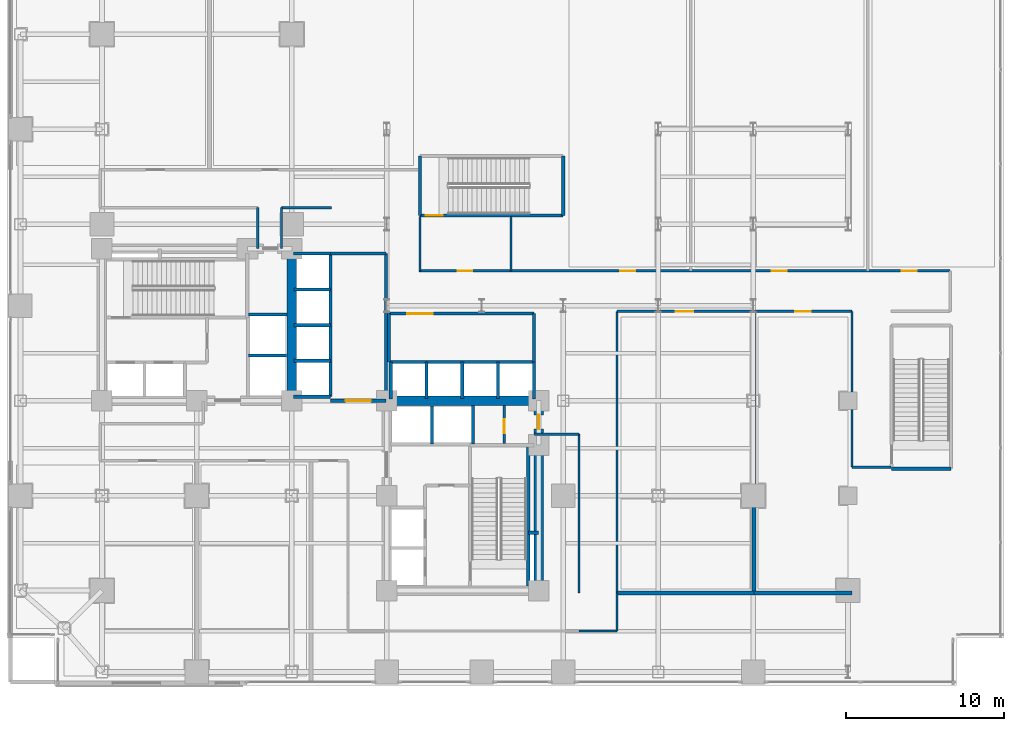
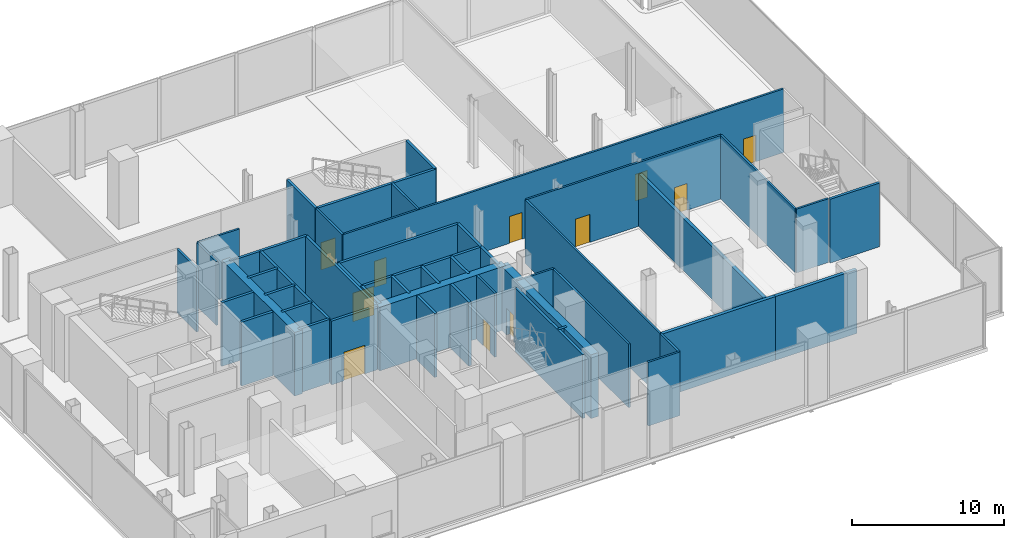
# One storey, part 22 of 27: 49 walls, 11 doors, 11 openings.
"""IFC4 building model written with IfcOpenShell, lengths in metres."""

from ifc_helpers import new_model, si_unit, direction, frame, frame_2d, origin, place, context, subcontext, project, spatial, rectangle, extrude, material, layer, layer_set, type_object, element, fill, save


model = new_model("IFC4")

# Units and contexts
model_context = context("Model", 3, precision=1e-05, world=origin(), true_north=direction((0.0, 1.0)))
body_context = subcontext(model_context, "Body", "Model", "MODEL_VIEW")
ifc_project = project(units=[si_unit("LENGTHUNIT", "METRE"), si_unit("AREAUNIT", "SQUARE_METRE"), si_unit("VOLUMEUNIT", "CUBIC_METRE"), si_unit("PLANEANGLEUNIT", "RADIAN"), si_unit("MASSUNIT", "GRAM", prefix="KILO"), si_unit("THERMODYNAMICTEMPERATUREUNIT", "KELVIN"), si_unit("POWERUNIT", "WATT")], contexts=[model_context])

# Site, building, storey
site_placement = place(None, origin())
site = spatial("IfcSite", under=ifc_project, at=site_placement, CompositionType="ELEMENT")
building_placement = place(site_placement, origin())
building = spatial("IfcBuilding", under=site, at=building_placement, Name="Svarakhadi Broadcast Tower", CompositionType="ELEMENT")
storey_placement = place(building_placement, frame((0.0, 0.0, 5.699951171875)))
storey = spatial("IfcBuildingStorey", under=building, at=storey_placement, Name="L01", CompositionType="ELEMENT", Elevation=5.699951171875)

# Walls
ifc_material_1 = material(Name="Double-Stud Acoustic Studio Partition STC-62", Category="gypsum")
ifc_layer_1 = layer(ifc_material_1, 0.25)
ifc_layer_set_1 = layer_set([ifc_layer_1], Name="Double-Stud Acoustic Studio Partition STC-62")
wall_type_1 = type_object("IfcWallType", Name="Wall_Acoust_250", PredefinedType="PARTITIONING", material=ifc_layer_set_1)
wall_1_placement = place(storey_placement, frame((38.550048828125, 5.85009765625, 0.0), z_axis=(0.0, 0.0, 1.0), x_axis=(1.0, 0.0, 0.0)))
element("IfcWall", 1, at=wall_1_placement, inside=storey, type_object=wall_type_1, Name="L01 L01 Television Production Studio A Wall", PredefinedType="PARTITIONING", context=body_context, shape_type="SweptSolid", body=[
    extrude(rectangle(XDim=8.64990234375, YDim=0.25, at=frame_2d((4.324951171875, 0.0))), origin(), (0.0, 0.0, 1.0), 5.125),
])
wall_2_placement = place(storey_placement, frame((47.199951171875, 5.85009765625, 0.0), z_axis=(0.0, 0.0, 1.0), x_axis=(0.0, 1.0, 0.0)))
element("IfcWall", 2, at=wall_2_placement, inside=storey, type_object=wall_type_1, Name="L01 L01 Television Production Studio A Wall", PredefinedType="PARTITIONING", context=body_context, shape_type="SweptSolid", body=[
    extrude(rectangle(XDim=17.699951171875, YDim=0.25, at=frame_2d((8.85009765625, 0.0))), origin(), (0.0, 0.0, 1.0), 4.217041015625),
])
wall_3_placement = place(storey_placement, frame((47.199951171875, 5.85009765625, 0.0), z_axis=(0.0, 0.0, 1.0), x_axis=(1.0, 0.0, 0.0)))
element("IfcWall", 3, at=wall_3_placement, inside=storey, type_object=wall_type_1, Name="L01 L01 Production Control Gallery Wall", PredefinedType="PARTITIONING", context=body_context, shape_type="SweptSolid", body=[
    extrude(rectangle(XDim=6.199951171875, YDim=0.25, at=frame_2d((3.10009765625, 0.0))), origin(), (0.0, 0.0, 1.0), 5.125),
])
ifc_material_2 = material(Name="Concrete C40/50 (IS 456 M50)", Category="concrete")
ifc_layer_2 = layer(ifc_material_2, 0.199951171875)
ifc_layer_set_2 = layer_set([ifc_layer_2], Name="Concrete C40/50 (IS 456 M50)")
wall_type_2 = type_object("IfcWallType", Name="Wall_Fire_200", PredefinedType="SOLIDWALL", material=ifc_layer_set_2)
wall_4_placement = place(storey_placement, frame((32.93994140625, 9.659912109375, 0.0), z_axis=(0.0, 0.0, 1.0), x_axis=(1.0, 0.0, 0.0)))
element("IfcWall", 4, at=wall_4_placement, inside=storey, type_object=wall_type_2, Name="L01 HV Busduct Riser Shaft North Wall", PredefinedType="SOLIDWALL", context=body_context, shape_type="SweptSolid", body=[
    extrude(rectangle(XDim=0.64013671875, YDim=0.199951171875, at=frame_2d((0.320068359375, 0.0))), origin(), (0.0, 0.0, 1.0), 5.125),
])

# Wall, opening, door
ifc_material_3 = material(Name="Autoclaved Aerated Concrete Blockwork 150 mm", Category="masonry")
ifc_layer_3 = layer(ifc_material_3, 0.14990234375)
ifc_layer_set_3 = layer_set([ifc_layer_3], Name="Autoclaved Aerated Concrete Blockwork 150 mm")
wall_type_3 = type_object("IfcWallType", Name="Wall_Part_150", PredefinedType="PARTITIONING", material=ifc_layer_set_3)
wall_5_placement = place(storey_placement, frame((31.419921875, 15.280029296875, 0.0), z_axis=(0.0, 0.0, 1.0), x_axis=(0.0, 1.0, 0.0)))
wall_5 = element("IfcWall", 5, at=wall_5_placement, inside=storey, type_object=wall_type_3, Name="L01 Core Service Split Wall", PredefinedType="PARTITIONING", context=body_context, shape_type="SweptSolid", body=[
    extrude(rectangle(XDim=2.419921875, YDim=0.14990234375, at=frame_2d((1.2099609375, 0.0))), origin(), (0.0, 0.0, 1.0), 5.125),
])
opening_1_placement = place(wall_5_placement, frame((0.64990234375, 0.0, 0.0)))
opening_1 = element("IfcOpeningElement", 6, at=opening_1_placement, cuts=wall_5, Name="Opening D-04", PredefinedType="OPENING", context=body_context, shape_type="SweptSolid", body=[
    extrude(rectangle(XDim=0.89990234375, YDim=2.14990234375, at=frame_2d((0.449951171875, 1.074951171875))), frame((0.0, 0.0849609375, 0.0), z_axis=(0.0, -1.0, 0.0), x_axis=(1.0, 0.0, 0.0)), (0.0, 0.0, 1.0), 0.169921875),
])
ifc_material_4 = material(Name="Galvanised Powder-Coated Fire-Rated Steel Leaf", Category="steel")
door_type_1 = type_object("IfcDoorType", Name="Door_Fire_D04", OperationType="SINGLE_SWING_RIGHT", PredefinedType="DOOR", material=ifc_material_4)
door_1_placement = place(opening_1_placement, origin())
door_1 = element("IfcDoor", 7, at=door_1_placement, inside=storey, type_object=door_type_1, Name="L01 Core Inner Riser Store Door", OperationType="SINGLE_SWING_RIGHT", OverallHeight=2.14990234375, OverallWidth=0.89990234375, PredefinedType="DOOR", context=body_context, shape_type="SweptSolid", body=[
    extrude(rectangle(XDim=0.89990234375, YDim=2.14990234375, at=frame_2d((0.449951171875, 1.074951171875))), frame((0.0, 0.02490234375, 0.0), z_axis=(0.0, -1.0, 0.0), x_axis=(1.0, 0.0, 0.0)), (0.0, 0.0, 1.0), 0.050048828125),
])
fill(opening_1, door_1)

# Walls
wall_6_placement = place(storey_placement, frame((36.14990234375, 5.85009765625, 0.0), z_axis=(0.0, 0.0, 1.0), x_axis=(0.0, 1.0, 0.0)))
element("IfcWall", 8, at=wall_6_placement, inside=storey, type_object=wall_type_3, Name="L01 Podium Gallery Wall", PredefinedType="PARTITIONING", context=body_context, shape_type="SweptSolid", body=[
    extrude(rectangle(XDim=10.02978515625, YDim=0.14990234375, at=frame_2d((5.014892578125, 0.0))), origin(), (0.0, 0.0, 1.0), 5.125),
])
wall_7_placement = place(storey_placement, frame((36.14990234375, 15.8798828125, 0.0), z_axis=(0.0, 0.0, 1.0), x_axis=(-1.0, 0.0, 0.0)))
element("IfcWall", 9, at=wall_7_placement, inside=storey, type_object=wall_type_3, Name="L01 Podium Gallery Wall", PredefinedType="PARTITIONING", context=body_context, shape_type="SweptSolid", body=[
    extrude(rectangle(XDim=2.809814453125, YDim=0.14990234375, at=frame_2d((1.40478515625, 0.0))), origin(), (0.0, 0.0, 1.0), 5.125),
])
wall_8_placement = place(storey_placement, frame((20.5, 30.199951171875, 0.0), z_axis=(0.0, 0.0, 1.0), x_axis=(-1.0, 0.0, 0.0)))
element("IfcWall", 10, at=wall_8_placement, inside=storey, type_object=wall_type_3, Name="L01 Podium Gallery Wall", PredefinedType="PARTITIONING", context=body_context, shape_type="SweptSolid", body=[
    extrude(rectangle(XDim=3.14990234375, YDim=0.14990234375, at=frame_2d((1.574951171875, 0.0))), origin(), (0.0, 0.0, 1.0), 5.125),
])
for number, where, z_axis, x_axis, name in (
    (11, (17.35009765625, 30.199951171875, 0.0), (0.0, 0.0, 1.0), (0.0, -1.0, 0.0), "L01 Podium Gallery Wall"),
    (12, (15.85009765625, 27.6201171875, 0.0), (0.0, 0.0, 1.0), (0.0, 1.0, 0.0), "L01 Podium Gallery Wall"),
):
    element("IfcWall", number, at=place(storey_placement, frame(where, z_axis=z_axis, x_axis=x_axis)), inside=storey, type_object=wall_type_3, Name=name, PredefinedType="PARTITIONING", context=body_context, shape_type="SweptSolid", body=[
        extrude(rectangle(XDim=2.579833984375, YDim=0.14990234375, at=frame_2d((1.2900390625, 0.0))), origin(), (0.0, 0.0, 1.0), 5.125),
    ])

# Wall, openings, doors
wall_9_placement = place(storey_placement, frame((26.050048828125, 26.199951171875, 0.0), z_axis=(0.0, 0.0, 1.0), x_axis=(1.0, 0.0, 0.0)))
wall_9 = element("IfcWall", 13, at=wall_9_placement, inside=storey, type_object=wall_type_3, Name="L01 Podium Gallery Wall", PredefinedType="PARTITIONING", context=body_context, shape_type="SweptSolid", body=[
    extrude(rectangle(XDim=33.550048828125, YDim=0.14990234375, at=frame_2d((16.77490234375, 0.0))), origin(), (0.0, 0.0, 1.0), 5.125),
])
opening_2_placement = place(wall_9_placement, frame((2.449951171875, 0.0, 0.0)))
opening_2 = element("IfcOpeningElement", 14, at=opening_2_placement, cuts=wall_9, Name="Opening D-13", PredefinedType="OPENING", context=body_context, shape_type="SweptSolid", body=[
    extrude(rectangle(XDim=0.89990234375, YDim=2.10009765625, at=frame_2d((0.449951171875, 1.050048828125))), frame((0.0, 0.0849609375, 0.0), z_axis=(0.0, -1.0, 0.0), x_axis=(1.0, 0.0, 0.0)), (0.0, 0.0, 1.0), 0.169921875),
])
opening_3_placement = place(wall_9_placement, frame((12.699951171875, 0.0, 0.0)))
opening_3 = element("IfcOpeningElement", 15, at=opening_3_placement, cuts=wall_9, Name="Opening D-06", PredefinedType="OPENING", context=body_context, shape_type="SweptSolid", body=[
    extrude(rectangle(XDim=0.949951171875, YDim=2.14990234375, at=frame_2d((0.47509765625, 1.074951171875))), frame((0.0, 0.0849609375, 0.0), z_axis=(0.0, -1.0, 0.0), x_axis=(1.0, 0.0, 0.0)), (0.0, 0.0, 1.0), 0.169921875),
])
opening_4_placement = place(wall_9_placement, frame((22.27490234375, 0.0, 0.0)))
opening_4 = element("IfcOpeningElement", 16, at=opening_4_placement, cuts=wall_9, Name="Opening D-07", PredefinedType="OPENING", context=body_context, shape_type="SweptSolid", body=[
    extrude(rectangle(XDim=0.949951171875, YDim=2.14990234375, at=frame_2d((0.47509765625, 1.074951171875))), frame((0.0, 0.0849609375, 0.0), z_axis=(0.0, -1.0, 0.0), x_axis=(1.0, 0.0, 0.0)), (0.0, 0.0, 1.0), 0.169921875),
])
opening_5_placement = place(wall_9_placement, frame((30.47509765625, 0.0, 0.0)))
opening_5 = element("IfcOpeningElement", 17, at=opening_5_placement, cuts=wall_9, Name="Opening D-06", PredefinedType="OPENING", context=body_context, shape_type="SweptSolid", body=[
    extrude(rectangle(XDim=0.949951171875, YDim=2.14990234375, at=frame_2d((0.47509765625, 1.074951171875))), frame((0.0, 0.0849609375, 0.0), z_axis=(0.0, -1.0, 0.0), x_axis=(1.0, 0.0, 0.0)), (0.0, 0.0, 1.0), 0.169921875),
])
ifc_material_5 = material(Name="Solid-Core Teak Veneer Acoustic Timber Leaf", Category="wood")
door_type_2 = type_object("IfcDoorType", Name="Door_Closet_D13", OperationType="SINGLE_SWING_RIGHT", PredefinedType="DOOR", material=ifc_material_5)
door_2_placement = place(opening_2_placement, origin())
door_2 = element("IfcDoor", 18, at=door_2_placement, inside=storey, type_object=door_type_2, Name="L01 Staff Toilet WC Door", OperationType="SINGLE_SWING_RIGHT", OverallHeight=2.10009765625, OverallWidth=0.89990234375, PredefinedType="DOOR", context=body_context, shape_type="SweptSolid", body=[
    extrude(rectangle(XDim=0.89990234375, YDim=2.10009765625, at=frame_2d((0.449951171875, 1.050048828125))), frame((0.0, 0.02490234375, 0.0), z_axis=(0.0, -1.0, 0.0), x_axis=(1.0, 0.0, 0.0)), (0.0, 0.0, 1.0), 0.050048828125),
])
fill(opening_2, door_2)
door_type_3 = type_object("IfcDoorType", Name="Door_Office_D06", OperationType="SINGLE_SWING_LEFT", PredefinedType="DOOR", material=ifc_material_5)
door_3_placement = place(opening_3_placement, origin())
door_3 = element("IfcDoor", 19, at=door_3_placement, inside=storey, type_object=door_type_3, Name="L01 L01 Satellite Ingest and Playout Office Door", OperationType="SINGLE_SWING_LEFT", OverallHeight=2.14990234375, OverallWidth=0.949951171875, PredefinedType="DOOR", context=body_context, shape_type="SweptSolid", body=[
    extrude(rectangle(XDim=0.949951171875, YDim=2.14990234375, at=frame_2d((0.47509765625, 1.074951171875))), frame((0.0, 0.02490234375, 0.0), z_axis=(0.0, -1.0, 0.0), x_axis=(1.0, 0.0, 0.0)), (0.0, 0.0, 1.0), 0.050048828125),
])
fill(opening_3, door_3)
door_4_placement = place(opening_5_placement, origin())
door_4 = element("IfcDoor", 20, at=door_4_placement, inside=storey, type_object=door_type_3, Name="L01 L01 Broadcast Technical Operations Office Door", OperationType="SINGLE_SWING_LEFT", OverallHeight=2.14990234375, OverallWidth=0.949951171875, PredefinedType="DOOR", context=body_context, shape_type="SweptSolid", body=[
    extrude(rectangle(XDim=0.949951171875, YDim=2.14990234375, at=frame_2d((0.47509765625, 1.074951171875))), frame((0.0, 0.02490234375, 0.0), z_axis=(0.0, -1.0, 0.0), x_axis=(1.0, 0.0, 0.0)), (0.0, 0.0, 1.0), 0.050048828125),
])
fill(opening_5, door_4)
door_type_4 = type_object("IfcDoorType", Name="Door_Office_D07", OperationType="SINGLE_SWING_RIGHT", PredefinedType="DOOR", material=ifc_material_5)
door_5_placement = place(opening_4_placement, origin())
door_5 = element("IfcDoor", 21, at=door_5_placement, inside=storey, type_object=door_type_4, Name="L01 L01 Editorial Conference Room Door", OperationType="SINGLE_SWING_RIGHT", OverallHeight=2.14990234375, OverallWidth=0.949951171875, PredefinedType="DOOR", context=body_context, shape_type="SweptSolid", body=[
    extrude(rectangle(XDim=0.949951171875, YDim=2.14990234375, at=frame_2d((0.47509765625, 1.074951171875))), frame((0.0, 0.02490234375, 0.0), z_axis=(0.0, -1.0, 0.0), x_axis=(1.0, 0.0, 0.0)), (0.0, 0.0, 1.0), 0.050048828125),
])
fill(opening_4, door_5)

# Walls
wall_10_placement = place(storey_placement, frame((55.85009765625, 13.800048828125, 0.0), z_axis=(0.0, 0.0, 1.0), x_axis=(-1.0, 0.0, 0.0)))
element("IfcWall", 22, at=wall_10_placement, inside=storey, type_object=wall_type_3, Name="L01 Podium Gallery Wall", PredefinedType="PARTITIONING", context=body_context, shape_type="SweptSolid", body=[
    extrude(rectangle(XDim=2.4501953125, YDim=0.14990234375, at=frame_2d((1.22509765625, 0.0))), origin(), (0.0, 0.0, 1.0), 5.125),
])
wall_11_placement = place(storey_placement, frame((53.39990234375, 13.800048828125, 0.0), z_axis=(0.0, 0.0, 1.0), x_axis=(0.0, 1.0, 0.0)))
element("IfcWall", 23, at=wall_11_placement, inside=storey, type_object=wall_type_3, Name="L01 Podium Gallery Wall", PredefinedType="PARTITIONING", context=body_context, shape_type="SweptSolid", body=[
    extrude(rectangle(XDim=9.83984375, YDim=0.14990234375, at=frame_2d((4.919921875, 0.0))), origin(), (0.0, 0.0, 1.0), 5.125),
])

# Wall, openings, doors
wall_12_placement = place(storey_placement, frame((53.39990234375, 23.639892578125, 0.0), z_axis=(0.0, 0.0, 1.0), x_axis=(-1.0, 0.0, 0.0)))
wall_12 = element("IfcWall", 24, at=wall_12_placement, inside=storey, type_object=wall_type_3, Name="L01 Podium Gallery Wall", PredefinedType="PARTITIONING", context=body_context, shape_type="SweptSolid", body=[
    extrude(rectangle(XDim=14.849853515625, YDim=0.14990234375, at=frame_2d((7.4248046875, 0.0))), origin(), (0.0, 0.0, 1.0), 5.125),
])
opening_6_placement = place(wall_12_placement, frame((10.02490234375, 0.0, 0.0)))
opening_6 = element("IfcOpeningElement", 25, at=opening_6_placement, cuts=wall_12, Name="Opening D-10", PredefinedType="OPENING", context=body_context, shape_type="SweptSolid", body=[
    extrude(rectangle(XDim=1.10009765625, YDim=2.25, at=frame_2d((0.550048828125, 1.125))), frame((0.0, 0.0849609375, 0.0), z_axis=(0.0, -1.0, 0.0), x_axis=(1.0, 0.0, 0.0)), (0.0, 0.0, 1.0), 0.169921875),
])
opening_7_placement = place(wall_12_placement, frame((2.625, 0.0, 0.0)))
opening_7 = element("IfcOpeningElement", 26, at=opening_7_placement, cuts=wall_12, Name="Opening D-06", PredefinedType="OPENING", context=body_context, shape_type="SweptSolid", body=[
    extrude(rectangle(XDim=0.949951171875, YDim=2.14990234375, at=frame_2d((0.47509765625, 1.074951171875))), frame((0.0, 0.0849609375, 0.0), z_axis=(0.0, -1.0, 0.0), x_axis=(1.0, 0.0, 0.0)), (0.0, 0.0, 1.0), 0.169921875),
])
door_type_5 = type_object("IfcDoorType", Name="Door_Acoust_D10", OperationType="SINGLE_SWING_LEFT", PredefinedType="DOOR", material=ifc_material_5)
door_6_placement = place(opening_6_placement, origin())
door_6 = element("IfcDoor", 27, at=door_6_placement, inside=storey, type_object=door_type_5, Name="L01 L01 Television Production Studio A Door", OperationType="SINGLE_SWING_LEFT", OverallHeight=2.25, OverallWidth=1.10009765625, PredefinedType="DOOR", context=body_context, shape_type="SweptSolid", body=[
    extrude(rectangle(XDim=1.10009765625, YDim=2.25, at=frame_2d((0.550048828125, 1.125))), frame((0.0, 0.02490234375, 0.0), z_axis=(0.0, -1.0, 0.0), x_axis=(1.0, 0.0, 0.0)), (0.0, 0.0, 1.0), 0.050048828125),
])
fill(opening_6, door_6)
door_7_placement = place(opening_7_placement, origin())
door_7 = element("IfcDoor", 28, at=door_7_placement, inside=storey, type_object=door_type_3, Name="L01 L01 Production Control Gallery Door", OperationType="SINGLE_SWING_LEFT", OverallHeight=2.14990234375, OverallWidth=0.949951171875, PredefinedType="DOOR", context=body_context, shape_type="SweptSolid", body=[
    extrude(rectangle(XDim=0.949951171875, YDim=2.14990234375, at=frame_2d((0.47509765625, 1.074951171875))), frame((0.0, 0.02490234375, 0.0), z_axis=(0.0, -1.0, 0.0), x_axis=(1.0, 0.0, 0.0)), (0.0, 0.0, 1.0), 0.050048828125),
])
fill(opening_7, door_7)

# Walls
wall_13_placement = place(storey_placement, frame((38.550048828125, 23.639892578125, 0.0), z_axis=(0.0, 0.0, 1.0), x_axis=(0.0, -1.0, 0.0)))
element("IfcWall", 29, at=wall_13_placement, inside=storey, type_object=wall_type_3, Name="L01 Podium Gallery Wall", PredefinedType="PARTITIONING", context=body_context, shape_type="SweptSolid", body=[
    extrude(rectangle(XDim=17.789794921875, YDim=0.14990234375, at=frame_2d((8.89501953125, 0.0))), origin(), (0.0, 0.0, 1.0), 5.125),
])
for number, where, z_axis, x_axis, name in (
    (30, (38.550048828125, 5.85009765625, 0.0), (0.0, 0.0, 1.0), (0.0, -1.0, 0.0), "L01 Podium Gallery Wall"),
    (31, (38.550048828125, 3.449951171875, 0.0), (0.0, 0.0, 1.0), (-1.0, 0.0, 0.0), "L01 Podium Gallery Wall"),
):
    element("IfcWall", number, at=place(storey_placement, frame(where, z_axis=z_axis, x_axis=x_axis)), inside=storey, type_object=wall_type_3, Name=name, PredefinedType="PARTITIONING", context=body_context, shape_type="SweptSolid", body=[
        extrude(rectangle(XDim=2.400146484375, YDim=0.14990234375, at=frame_2d((1.2001953125, 0.0))), origin(), (0.0, 0.0, 1.0), 5.125),
    ])
for number, where, z_axis, x_axis, name in (
    (32, (26.10009765625, 26.199951171875, 0.0), (0.0, 0.0, 1.0), (0.0, 1.0, 0.0), "L01 Staff Toilet WC Wall"),
    (33, (31.85009765625, 26.199951171875, 0.0), (0.0, 0.0, 1.0), (0.0, 1.0, 0.0), "L01 Staff Toilet WC Wall"),
):
    element("IfcWall", number, at=place(storey_placement, frame(where, z_axis=z_axis, x_axis=x_axis)), inside=storey, type_object=wall_type_3, Name=name, PredefinedType="PARTITIONING", context=body_context, shape_type="SweptSolid", body=[
        extrude(rectangle(XDim=3.449951171875, YDim=0.14990234375, at=frame_2d((1.72509765625, 0.0))), origin(), (0.0, 0.0, 1.0), 5.125),
    ])
ifc_material_6 = material(Name="Concrete C50/60 (IS 456 M60)", Category="concrete")
ifc_layer_4 = layer(ifc_material_6, 0.199951171875)
ifc_layer_set_4 = layer_set([ifc_layer_4], Name="Concrete C50/60 (IS 456 M60)")
wall_type_4 = type_object("IfcWallType", Name="Wall_Shear_200", PredefinedType="SHEAR", material=ifc_layer_set_4)
wall_14_placement = place(storey_placement, frame((32.93994140625, 6.300048828125, 0.0), z_axis=(0.0, 0.0, 1.0), x_axis=(0.0, 1.0, 0.0)))
element("IfcWall", 34, at=wall_14_placement, inside=storey, type_object=wall_type_4, Name="L01 Stair ST-02 East RC Shaft Wall", PredefinedType="SHEAR", context=body_context, shape_type="SweptSolid", body=[
    extrude(rectangle(XDim=8.8798828125, YDim=0.199951171875, at=frame_2d((4.43994140625, 0.0))), origin(), (0.0, 0.0, 1.0), 5.125),
])
wall_15_placement = place(storey_placement, frame((15.25, 20.85009765625, 0.0), z_axis=(0.0, 0.0, 1.0), x_axis=(1.0, 0.0, 0.0)))
element("IfcWall", 35, at=wall_15_placement, inside=storey, type_object=wall_type_4, Name="L01 High-Rise Lift LF-13/14 Divider", PredefinedType="SHEAR", context=body_context, shape_type="SweptSolid", body=[
    extrude(rectangle(XDim=2.39990234375, YDim=0.199951171875, at=frame_2d((1.199951171875, 0.0))), origin(), (0.0, 0.0, 1.0), 5.125),
])
wall_16_placement = place(storey_placement, frame((15.25, 23.449951171875, 0.0), z_axis=(0.0, 0.0, 1.0), x_axis=(1.0, 0.0, 0.0)))
element("IfcWall", 36, at=wall_16_placement, inside=storey, type_object=wall_type_4, Name="L01 High-Rise Lift LF-13/14 North Wall", PredefinedType="SHEAR", context=body_context, shape_type="SweptSolid", body=[
    extrude(rectangle(XDim=2.449951171875, YDim=0.199951171875, at=frame_2d((1.22509765625, 0.0))), origin(), (0.0, 0.0, 1.0), 5.125),
])
wall_17_placement = place(storey_placement, frame((26.85009765625, 15.25, 0.0), z_axis=(0.0, 0.0, 1.0), x_axis=(0.0, 1.0, 0.0)))
element("IfcWall", 37, at=wall_17_placement, inside=storey, type_object=wall_type_4, Name="L01 High-Rise Lift LF-15/16 Divider", PredefinedType="SHEAR", context=body_context, shape_type="SweptSolid", body=[
    extrude(rectangle(XDim=2.39990234375, YDim=0.199951171875, at=frame_2d((1.199951171875, 0.0))), origin(), (0.0, 0.0, 1.0), 5.125),
])
wall_18_placement = place(storey_placement, frame((29.449951171875, 15.25, 0.0), z_axis=(0.0, 0.0, 1.0), x_axis=(0.0, 1.0, 0.0)))
element("IfcWall", 38, at=wall_18_placement, inside=storey, type_object=wall_type_4, Name="L01 High-Rise Lift LF-15/16 East Wall", PredefinedType="SHEAR", context=body_context, shape_type="SweptSolid", body=[
    extrude(rectangle(XDim=2.449951171875, YDim=0.199951171875, at=frame_2d((1.22509765625, 0.0))), origin(), (0.0, 0.0, 1.0), 5.125),
])
for number, where, z_axis, x_axis, name in (
    (39, (18.10009765625, 27.300048828125, 0.0), (0.0, 0.0, 1.0), (1.0, 0.0, 0.0), "L01 Bank A North Shaft Wall"),
    (40, (18.10009765625, 18.25, 0.0), (0.0, 0.0, 1.0), (1.0, 0.0, 0.0), "L01 Bank A South Shaft Wall"),
):
    element("IfcWall", number, at=place(storey_placement, frame(where, z_axis=z_axis, x_axis=x_axis)), inside=storey, type_object=wall_type_4, Name=name, PredefinedType="SHEAR", context=body_context, shape_type="SweptSolid", body=[
        extrude(rectangle(XDim=2.349853515625, YDim=0.199951171875, at=frame_2d((1.1748046875, 0.0))), origin(), (0.0, 0.0, 1.0), 5.125),
    ])
wall_19_placement = place(storey_placement, frame((20.449951171875, 18.25, 0.0), z_axis=(0.0, 0.0, 1.0), x_axis=(0.0, 1.0, 0.0)))
element("IfcWall", 41, at=wall_19_placement, inside=storey, type_object=wall_type_4, Name="L01 Bank A East Landing Wall", PredefinedType="SHEAR", context=body_context, shape_type="SweptSolid", body=[
    extrude(rectangle(XDim=9.050048828125, YDim=0.199951171875, at=frame_2d((4.52490234375, 0.0))), origin(), (0.0, 0.0, 1.0), 5.125),
])
for number, where, z_axis, x_axis, name in (
    (42, (18.14990234375, 20.52001953125, 0.0), (0.0, 0.0, 1.0), (1.0, 0.0, 0.0), "L01 Bank A Divider"),
    (43, (18.14990234375, 22.77001953125, 0.0), (0.0, 0.0, 1.0), (1.0, 0.0, 0.0), "L01 Bank A Divider"),
    (44, (18.14990234375, 25.02001953125, 0.0), (0.0, 0.0, 1.0), (1.0, 0.0, 0.0), "L01 Bank A Divider"),
):
    element("IfcWall", number, at=place(storey_placement, frame(where, z_axis=z_axis, x_axis=x_axis)), inside=storey, type_object=wall_type_4, Name=name, PredefinedType="SHEAR", context=body_context, shape_type="SweptSolid", body=[
        extrude(rectangle(XDim=2.300048828125, YDim=0.199951171875, at=frame_2d((1.14990234375, 0.0))), origin(), (0.0, 0.0, 1.0), 5.125),
    ])

# Wall, opening, door
wall_20_placement = place(storey_placement, frame((20.449951171875, 18.0, 0.0), z_axis=(0.0, 0.0, 1.0), x_axis=(1.0, 0.0, 0.0)))
wall_20 = element("IfcWall", 45, at=wall_20_placement, inside=storey, type_object=wall_type_4, Name="L01 Bank A Lift Hall South Wall", PredefinedType="SHEAR", context=body_context, shape_type="SweptSolid", body=[
    extrude(rectangle(XDim=3.5, YDim=0.199951171875, at=frame_2d((1.75, 0.0))), origin(), (0.0, 0.0, 1.0), 5.125),
])
opening_8_placement = place(wall_20_placement, frame((0.949951171875, 0.0, 0.0)))
opening_8 = element("IfcOpeningElement", 46, at=opening_8_placement, cuts=wall_20, Name="Opening D-05", PredefinedType="OPENING", context=body_context, shape_type="SweptSolid", body=[
    extrude(rectangle(XDim=1.60009765625, YDim=2.300048828125, at=frame_2d((0.800048828125, 1.14990234375))), frame((0.0, 0.10986328125, 0.0), z_axis=(0.0, -1.0, 0.0), x_axis=(1.0, 0.0, 0.0)), (0.0, 0.0, 1.0), 0.219970703125),
])
ifc_material_7 = material(Name="Anodised Bronze Aluminium AA 6063-T6", Category="aluminium")
door_type_6 = type_object("IfcDoorType", Name="Door_Lobby_D05", OperationType="DOUBLE_DOOR_SLIDING", PredefinedType="DOOR", material=ifc_material_7)
door_8_placement = place(opening_8_placement, origin())
door_8 = element("IfcDoor", 47, at=door_8_placement, inside=storey, type_object=door_type_6, Name="L01 Low-Rise Lift Hall Corridor Door", OperationType="DOUBLE_DOOR_SLIDING", OverallHeight=2.300048828125, OverallWidth=1.60009765625, PredefinedType="DOOR", context=body_context, shape_type="SweptSolid", body=[
    extrude(rectangle(XDim=1.60009765625, YDim=2.300048828125, at=frame_2d((0.800048828125, 1.14990234375))), frame((0.0, 0.02490234375, 0.0), z_axis=(0.0, -1.0, 0.0), x_axis=(1.0, 0.0, 0.0)), (0.0, 0.0, 1.0), 0.050048828125),
])
fill(opening_8, door_8)

# Walls
wall_21_placement = place(storey_placement, frame((20.449951171875, 27.300048828125, 0.0), z_axis=(0.0, 0.0, 1.0), x_axis=(1.0, 0.0, 0.0)))
element("IfcWall", 48, at=wall_21_placement, inside=storey, type_object=wall_type_4, Name="L01 Bank A Lift Hall North Wall", PredefinedType="SHEAR", context=body_context, shape_type="SweptSolid", body=[
    extrude(rectangle(XDim=3.5, YDim=0.199951171875, at=frame_2d((1.75, 0.0))), origin(), (0.0, 0.0, 1.0), 5.125),
])
wall_22_placement = place(storey_placement, frame((23.949951171875, 18.0, 0.0), z_axis=(0.0, 0.0, 1.0), x_axis=(0.0, 1.0, 0.0)))
element("IfcWall", 49, at=wall_22_placement, inside=storey, type_object=wall_type_4, Name="L01 Bank A Lift Hall East Wall", PredefinedType="SHEAR", context=body_context, shape_type="SweptSolid", body=[
    extrude(rectangle(XDim=9.300048828125, YDim=0.199951171875, at=frame_2d((4.64990234375, 0.0))), origin(), (0.0, 0.0, 1.0), 5.125),
])
for number, where, z_axis, x_axis, name in (
    (50, (33.300048828125, 18.10009765625, 0.0), (0.0, 0.0, 1.0), (0.0, 1.0, 0.0), "L01 Bank B East Shaft Wall"),
    (51, (24.25, 18.10009765625, 0.0), (0.0, 0.0, 1.0), (0.0, 1.0, 0.0), "L01 Bank B West Shaft Wall"),
):
    element("IfcWall", number, at=place(storey_placement, frame(where, z_axis=z_axis, x_axis=x_axis)), inside=storey, type_object=wall_type_4, Name=name, PredefinedType="SHEAR", context=body_context, shape_type="SweptSolid", body=[
        extrude(rectangle(XDim=2.349853515625, YDim=0.199951171875, at=frame_2d((1.1748046875, 0.0))), origin(), (0.0, 0.0, 1.0), 5.125),
    ])
wall_23_placement = place(storey_placement, frame((24.25, 20.449951171875, 0.0), z_axis=(0.0, 0.0, 1.0), x_axis=(1.0, 0.0, 0.0)))
element("IfcWall", 52, at=wall_23_placement, inside=storey, type_object=wall_type_4, Name="L01 Bank B North Landing Wall", PredefinedType="SHEAR", context=body_context, shape_type="SweptSolid", body=[
    extrude(rectangle(XDim=9.050048828125, YDim=0.199951171875, at=frame_2d((4.52490234375, 0.0))), origin(), (0.0, 0.0, 1.0), 5.125),
])
for number, where, z_axis, x_axis, name in (
    (53, (26.52001953125, 18.14990234375, 0.0), (0.0, 0.0, 1.0), (0.0, 1.0, 0.0), "L01 Bank B Divider"),
    (54, (28.77001953125, 18.14990234375, 0.0), (0.0, 0.0, 1.0), (0.0, 1.0, 0.0), "L01 Bank B Divider"),
    (55, (31.02001953125, 18.14990234375, 0.0), (0.0, 0.0, 1.0), (0.0, 1.0, 0.0), "L01 Bank B Divider"),
):
    element("IfcWall", number, at=place(storey_placement, frame(where, z_axis=z_axis, x_axis=x_axis)), inside=storey, type_object=wall_type_4, Name=name, PredefinedType="SHEAR", context=body_context, shape_type="SweptSolid", body=[
        extrude(rectangle(XDim=2.300048828125, YDim=0.199951171875, at=frame_2d((1.14990234375, 0.0))), origin(), (0.0, 0.0, 1.0), 5.125),
    ])

# Wall, opening, door
wall_24_placement = place(storey_placement, frame((24.14990234375, 23.5, 0.0), z_axis=(0.0, 0.0, 1.0), x_axis=(1.0, 0.0, 0.0)))
wall_24 = element("IfcWall", 56, at=wall_24_placement, inside=storey, type_object=wall_type_4, Name="L01 Bank B Lift Hall North Wall", PredefinedType="SHEAR", context=body_context, shape_type="SweptSolid", body=[
    extrude(rectangle(XDim=9.150146484375, YDim=0.199951171875, at=frame_2d((4.5751953125, 0.0))), origin(), (0.0, 0.0, 1.0), 5.125),
])
opening_9_placement = place(wall_24_placement, frame((1.14990234375, 0.0, 0.0)))
opening_9 = element("IfcOpeningElement", 57, at=opening_9_placement, cuts=wall_24, Name="Opening D-05", PredefinedType="OPENING", context=body_context, shape_type="SweptSolid", body=[
    extrude(rectangle(XDim=1.60009765625, YDim=2.300048828125, at=frame_2d((0.800048828125, 1.14990234375))), frame((0.0, 0.10986328125, 0.0), z_axis=(0.0, -1.0, 0.0), x_axis=(1.0, 0.0, 0.0)), (0.0, 0.0, 1.0), 0.219970703125),
])
door_9_placement = place(opening_9_placement, origin())
door_9 = element("IfcDoor", 58, at=door_9_placement, inside=storey, type_object=door_type_6, Name="L01 Mid-Rise Lift Hall North Corridor Door", OperationType="DOUBLE_DOOR_SLIDING", OverallHeight=2.300048828125, OverallWidth=1.60009765625, PredefinedType="DOOR", context=body_context, shape_type="SweptSolid", body=[
    extrude(rectangle(XDim=1.60009765625, YDim=2.300048828125, at=frame_2d((0.800048828125, 1.14990234375))), frame((0.0, 0.02490234375, 0.0), z_axis=(0.0, -1.0, 0.0), x_axis=(1.0, 0.0, 0.0)), (0.0, 0.0, 1.0), 0.050048828125),
])
fill(opening_9, door_9)

# Walls
for number, where, z_axis, x_axis, name in (
    (59, (33.300048828125, 20.449951171875, 0.0), (0.0, 0.0, 1.0), (0.0, 1.0, 0.0), "L01 Bank B Lift Hall East Wall"),
    (60, (24.14990234375, 20.449951171875, 0.0), (0.0, 0.0, 1.0), (0.0, 1.0, 0.0), "L01 Bank B Lift Hall West Wall"),
):
    element("IfcWall", number, at=place(storey_placement, frame(where, z_axis=z_axis, x_axis=x_axis)), inside=storey, type_object=wall_type_4, Name=name, PredefinedType="SHEAR", context=body_context, shape_type="SweptSolid", body=[
        extrude(rectangle(XDim=3.050048828125, YDim=0.199951171875, at=frame_2d((1.52490234375, 0.0))), origin(), (0.0, 0.0, 1.0), 5.125),
    ])

# Wall, opening, door
wall_25_placement = place(storey_placement, frame((26.10009765625, 29.699951171875, 0.0), z_axis=(0.0, 0.0, 1.0), x_axis=(1.0, 0.0, 0.0)))
wall_25 = element("IfcWall", 61, at=wall_25_placement, inside=storey, type_object=wall_type_4, Name="L01 Stair ST-03 South RC Shaft Wall", PredefinedType="SHEAR", context=body_context, shape_type="SweptSolid", body=[
    extrude(rectangle(XDim=9.0498046875, YDim=0.199951171875, at=frame_2d((4.52490234375, 0.0))), origin(), (0.0, 0.0, 1.0), 5.125),
])
opening_10_placement = place(wall_25_placement, frame((0.35009765625, 0.0, 0.0)))
opening_10 = element("IfcOpeningElement", 62, at=opening_10_placement, cuts=wall_25, Name="Opening D-01", PredefinedType="OPENING", context=body_context, shape_type="SweptSolid", body=[
    extrude(rectangle(XDim=1.10009765625, YDim=2.199951171875, at=frame_2d((0.550048828125, 1.10009765625))), frame((0.0, 0.10986328125, 0.0), z_axis=(0.0, -1.0, 0.0), x_axis=(1.0, 0.0, 0.0)), (0.0, 0.0, 1.0), 0.219970703125),
])
door_type_7 = type_object("IfcDoorType", Name="Door_Stair_D01", OperationType="SINGLE_SWING_LEFT", PredefinedType="DOOR", material=ifc_material_4)
door_10_placement = place(opening_10_placement, origin())
door_10 = element("IfcDoor", 63, at=door_10_placement, inside=storey, type_object=door_type_7, Name="L01 Podium Stair ST-03 Fire Door", OperationType="SINGLE_SWING_LEFT", OverallHeight=2.199951171875, OverallWidth=1.10009765625, PredefinedType="DOOR", context=body_context, shape_type="SweptSolid", body=[
    extrude(rectangle(XDim=1.10009765625, YDim=2.199951171875, at=frame_2d((0.550048828125, 1.10009765625))), frame((0.0, 0.02490234375, 0.0), z_axis=(0.0, -1.0, 0.0), x_axis=(1.0, 0.0, 0.0)), (0.0, 0.0, 1.0), 0.050048828125),
])
fill(opening_10, door_10)

# Walls
for number, where, z_axis, x_axis, name in (
    (64, (26.10009765625, 29.699951171875, 0.0), (0.0, 0.0, 1.0), (0.0, 1.0, 0.0), "L01 Stair ST-03 West RC Shaft Wall"),
    (65, (35.14990234375, 29.699951171875, 0.0), (0.0, 0.0, 1.0), (0.0, 1.0, 0.0), "L01 Stair ST-03 East RC Shaft Wall"),
    (66, (55.89990234375, 13.699951171875, 0.0), (0.0, 0.0, 1.0), (1.0, 0.0, 0.0), "L01 Stair ST-04 South RC Shaft Wall"),
):
    element("IfcWall", number, at=place(storey_placement, frame(where, z_axis=z_axis, x_axis=x_axis)), inside=storey, type_object=wall_type_4, Name=name, PredefinedType="SHEAR", context=body_context, shape_type="SweptSolid", body=[
        extrude(rectangle(XDim=3.760009765625, YDim=0.199951171875, at=frame_2d((1.8798828125, 0.0))), origin(), (0.0, 0.0, 1.0), 5.125),
    ])
ifc_material_8 = material(Name="Concrete C60/75 (IS 456 M70)", Category="concrete")
ifc_layer_5 = layer(ifc_material_8, 0.60009765625)
ifc_layer_set_5 = layer_set([ifc_layer_5], Name="Concrete C60/75 (IS 456 M70)")
wall_type_5 = type_object("IfcWallType", Name="Wall_Shear_600", PredefinedType="SHEAR", material=ifc_layer_set_5)
for number, where, z_axis, x_axis, name in (
    (67, (18.0, 18.0, 0.0), (0.0, 0.0, 1.0), (0.0, 1.0, 0.0), "L01 West Core East Shear Wall"),
    (68, (24.0, 18.0, 0.0), (0.0, 0.0, 1.0), (1.0, 0.0, 0.0), "L01 East Core North Shear Wall"),
):
    element("IfcWall", number, at=place(storey_placement, frame(where, z_axis=z_axis, x_axis=x_axis)), inside=storey, type_object=wall_type_5, Name=name, PredefinedType="SHEAR", context=body_context, shape_type="SweptSolid", body=[
        extrude(rectangle(XDim=9.60009765625, YDim=0.60009765625, at=frame_2d((4.800048828125, 0.0))), origin(), (0.0, 0.0, 1.0), 5.125),
    ])

# Wall, opening, door
wall_26_placement = place(storey_placement, frame((33.60009765625, 6.0, 0.0), z_axis=(0.0, 0.0, 1.0), x_axis=(0.0, 1.0, 0.0)))
wall_26 = element("IfcWall", 69, at=wall_26_placement, inside=storey, type_object=wall_type_5, Name="L01 East Core East Shear Wall", PredefinedType="SHEAR", context=body_context, shape_type="SweptSolid", body=[
    extrude(rectangle(XDim=12.0, YDim=0.60009765625, at=frame_2d((6.0, 0.0))), origin(), (0.0, 0.0, 1.0), 5.125),
])
opening_11_placement = place(wall_26_placement, frame((10.199951171875, 0.0, 0.0)))
opening_11 = element("IfcOpeningElement", 70, at=opening_11_placement, cuts=wall_26, Name="Opening D-03", PredefinedType="OPENING", context=body_context, shape_type="SweptSolid", body=[
    extrude(rectangle(XDim=0.89990234375, YDim=2.14990234375, at=frame_2d((0.449951171875, 1.074951171875))), frame((0.0, 0.31005859375, 0.0), z_axis=(0.0, -1.0, 0.0), x_axis=(1.0, 0.0, 0.0)), (0.0, 0.0, 1.0), 0.6201171875),
])
door_type_8 = type_object("IfcDoorType", Name="Door_Fire_D03", OperationType="SINGLE_SWING_LEFT", PredefinedType="DOOR", material=ifc_material_4)
door_11_placement = place(opening_11_placement, origin())
door_11 = element("IfcDoor", 71, at=door_11_placement, inside=storey, type_object=door_type_8, Name="L01 Core Outer Service Store Door", OperationType="SINGLE_SWING_LEFT", OverallHeight=2.14990234375, OverallWidth=0.89990234375, PredefinedType="DOOR", context=body_context, shape_type="SweptSolid", body=[
    extrude(rectangle(XDim=0.89990234375, YDim=2.14990234375, at=frame_2d((0.449951171875, 1.074951171875))), frame((0.0, 0.02490234375, 0.0), z_axis=(0.0, -1.0, 0.0), x_axis=(1.0, 0.0, 0.0)), (0.0, 0.0, 1.0), 0.050048828125),
])
fill(opening_11, door_11)

save(model, "model.ifc")
